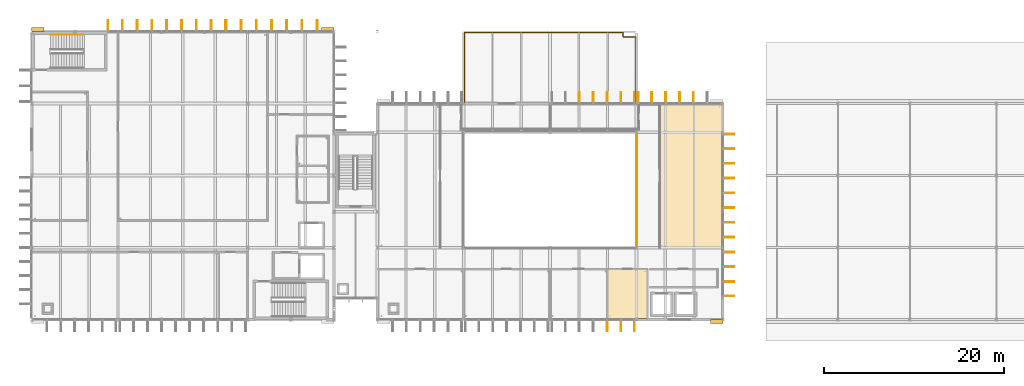
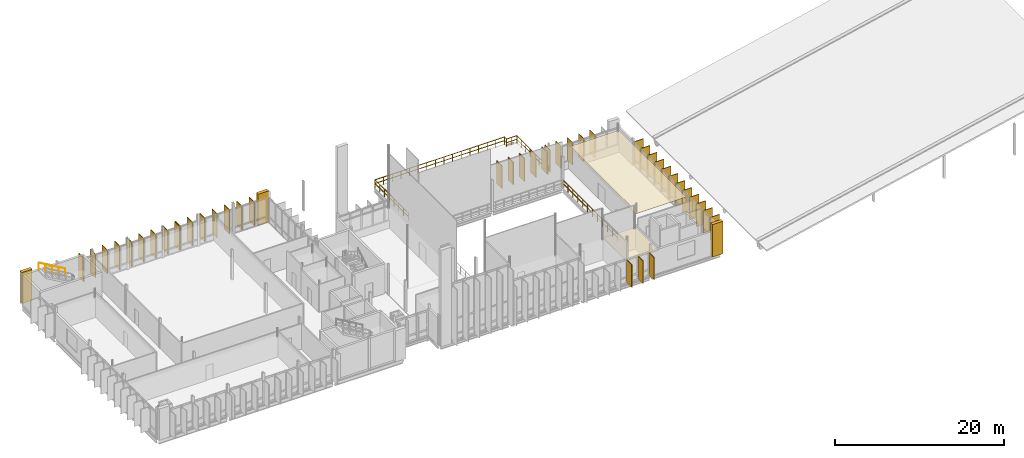
# One storey, part 40 of 41: 46 coverings, 3 railings.
"""IFC4 building model written with IfcOpenShell, lengths in metres."""

from ifc_helpers import new_model, si_unit, direction, frame, origin, origin_2d, place, context, subcontext, project, spatial, polyline, rectangle, circle, outline, extrude, material, layer, layer_set, type_object, element, save


model = new_model("IFC4")

# Units and contexts
model_context = context("Model", 3, precision=1e-05, world=origin(), true_north=direction((0.0, 1.0)))
body_context = subcontext(model_context, "Body", "Model", "MODEL_VIEW")
ifc_project = project(units=[si_unit("LENGTHUNIT", "METRE"), si_unit("AREAUNIT", "SQUARE_METRE"), si_unit("VOLUMEUNIT", "CUBIC_METRE"), si_unit("PLANEANGLEUNIT", "RADIAN"), si_unit("MASSUNIT", "GRAM", prefix="KILO")], contexts=[model_context])

# Site, building, storey
site_placement = place(None, origin())
site = spatial("IfcSite", under=ifc_project, at=site_placement, CompositionType="ELEMENT")
building_placement = place(site_placement, origin())
building = spatial("IfcBuilding", under=site, at=building_placement, Name="Dunescarp Central Library", CompositionType="ELEMENT")
storey_placement = place(building_placement, frame((0.0, 0.0, 23.10009765625)))
storey = spatial("IfcBuildingStorey", under=building, at=storey_placement, Name="L05", CompositionType="ELEMENT", Elevation=23.10009765625)

# Coverings
ifc_material_1 = material(Name="Perforated birch acoustic timber baffle", Category="wood")
ifc_layer_1 = layer(ifc_material_1, 0.050048828125)
ifc_layer_set_1 = layer_set([ifc_layer_1], Name="Perforated birch acoustic timber baffle")
covering_type_1 = type_object("IfcCoveringType", Name="ARC-COV-BAFFLE", PredefinedType="CEILING", material=ifc_layer_set_1)
covering_1_placement = place(storey_placement, frame((0.0, 0.0, 3.0498046875)))
element("IfcCovering", 1, at=covering_1_placement, inside=storey, type_object=covering_type_1, Name="L05 ceiling L05 East Stepped Reading Terrace", PredefinedType="CEILING", context=body_context, shape_type="SweptSolid", body=[
    extrude(outline(polyline([(69.780029296875, 12.780029296875), (76.679931640625, 12.780029296875), (76.679931640625, 28.679931640625), (69.780029296875, 28.679931640625), (69.780029296875, 12.780029296875)])), origin(), (0.0, 0.0, 1.0), 0.050048828125),
])
ifc_material_2 = material(Name="Mineral-fibre acoustic ceiling tile")
ifc_layer_2 = layer(ifc_material_2, 0.0400390625)
ifc_layer_set_2 = layer_set([ifc_layer_2], Name="Mineral-fibre acoustic ceiling tile")
covering_type_2 = type_object("IfcCoveringType", Name="ARC-COV-CEIL40", PredefinedType="CEILING", material=ifc_layer_set_2)
covering_2_placement = place(storey_placement, frame((0.0, 0.0, 3.0498046875)))
element("IfcCovering", 2, at=covering_2_placement, inside=storey, type_object=covering_type_2, Name="L05 ceiling Wing Washrooms & WC", PredefinedType="CEILING", context=body_context, shape_type="SweptSolid", body=[
    extrude(outline(polyline([(63.97998046875, 4.919921875), (68.419921875, 4.919921875), (68.419921875, 10.419921875), (63.97998046875, 10.419921875), (63.97998046875, 4.919921875)])), origin(), (0.0, 0.0, 1.0), 0.0400390625),
])
ifc_material_3 = material(Name="Glass-fibre reinforced concrete GRC", Category="concrete")
ifc_layer_3 = layer(ifc_material_3, 0.090087890625)
ifc_layer_set_3 = layer_set([ifc_layer_3], Name="Glass-fibre reinforced concrete GRC")
covering_type_3 = type_object("IfcCoveringType", Name="ARC-COV-FIN1250", PredefinedType="CLADDING", material=ifc_layer_set_3)
covering_3_placement = place(storey_placement, frame((21.639892578125, 37.4619140625, 0.1669921875), z_axis=(0.0, 0.0, 1.0), x_axis=(0.0, 1.0, 0.0)))
element("IfcCovering", 3, at=covering_3_placement, inside=storey, type_object=covering_type_3, Name="L05 parametric vertical facade fin FIN-L05-0231", PredefinedType="CLADDING", context=body_context, shape_type="SweptSolid", body=[
    extrude(rectangle(XDim=1.25, YDim=0.090087890625, at=origin_2d()), origin(), (0.0, 0.0, 1.0), 3.406005859375),
])
covering_4_placement = place(storey_placement, frame((23.2890625, 37.4619140625, 0.180419921875), z_axis=(0.0, 0.0, 1.0), x_axis=(0.0, 1.0, 0.0)))
element("IfcCovering", 4, at=covering_4_placement, inside=storey, type_object=covering_type_3, Name="L05 parametric vertical facade fin FIN-L05-0232", PredefinedType="CLADDING", context=body_context, shape_type="SweptSolid", body=[
    extrude(rectangle(XDim=1.25, YDim=0.090087890625, at=origin_2d()), origin(), (0.0, 0.0, 1.0), 3.39306640625),
])
covering_5_placement = place(storey_placement, frame((24.97900390625, 37.4619140625, 0.16357421875), z_axis=(0.0, 0.0, 1.0), x_axis=(0.0, 1.0, 0.0)))
element("IfcCovering", 5, at=covering_5_placement, inside=storey, type_object=covering_type_3, Name="L05 parametric vertical facade fin FIN-L05-0233", PredefinedType="CLADDING", context=body_context, shape_type="SweptSolid", body=[
    extrude(rectangle(XDim=1.25, YDim=0.090087890625, at=origin_2d()), origin(), (0.0, 0.0, 1.0), 3.408935546875),
])
covering_6_placement = place(storey_placement, frame((26.66796875, 37.4619140625, 0.123046875), z_axis=(0.0, 0.0, 1.0), x_axis=(0.0, 1.0, 0.0)))
element("IfcCovering", 6, at=covering_6_placement, inside=storey, type_object=covering_type_3, Name="L05 parametric vertical facade fin FIN-L05-0234", PredefinedType="CLADDING", context=body_context, shape_type="SweptSolid", body=[
    extrude(rectangle(XDim=1.25, YDim=0.090087890625, at=origin_2d()), origin(), (0.0, 0.0, 1.0), 3.449951171875),
])
covering_7_placement = place(storey_placement, frame((28.35693359375, 37.4619140625, 0.079833984375), z_axis=(0.0, 0.0, 1.0), x_axis=(0.0, 1.0, 0.0)))
element("IfcCovering", 7, at=covering_7_placement, inside=storey, type_object=covering_type_3, Name="L05 parametric vertical facade fin FIN-L05-0235", PredefinedType="CLADDING", context=body_context, shape_type="SweptSolid", body=[
    extrude(rectangle(XDim=1.25, YDim=0.090087890625, at=origin_2d()), origin(), (0.0, 0.0, 1.0), 3.48193359375),
])
covering_8_placement = place(storey_placement, frame((30.0458984375, 37.4619140625, 0.080078125), z_axis=(0.0, 0.0, 1.0), x_axis=(0.0, 1.0, 0.0)))
element("IfcCovering", 8, at=covering_8_placement, inside=storey, type_object=covering_type_3, Name="L05 parametric vertical facade fin FIN-L05-0236", PredefinedType="CLADDING", context=body_context, shape_type="SweptSolid", body=[
    extrude(rectangle(XDim=1.25, YDim=0.090087890625, at=origin_2d()), origin(), (0.0, 0.0, 1.0), 3.431884765625),
])
covering_9_placement = place(storey_placement, frame((31.736083984375, 37.4619140625, 0.080322265625), z_axis=(0.0, 0.0, 1.0), x_axis=(0.0, 1.0, 0.0)))
element("IfcCovering", 9, at=covering_9_placement, inside=storey, type_object=covering_type_3, Name="L05 parametric vertical facade fin FIN-L05-0237", PredefinedType="CLADDING", context=body_context, shape_type="SweptSolid", body=[
    extrude(rectangle(XDim=1.25, YDim=0.090087890625, at=origin_2d()), origin(), (0.0, 0.0, 1.0), 3.39892578125),
])
covering_10_placement = place(storey_placement, frame((8.489990234375, 37.4619140625, 0.1669921875), z_axis=(0.0, 0.0, 1.0), x_axis=(0.0, 1.0, 0.0)))
element("IfcCovering", 10, at=covering_10_placement, inside=storey, type_object=covering_type_3, Name="L05 parametric vertical facade fin FIN-L05-0238", PredefinedType="CLADDING", context=body_context, shape_type="SweptSolid", body=[
    extrude(rectangle(XDim=1.25, YDim=0.090087890625, at=origin_2d()), origin(), (0.0, 0.0, 1.0), 3.406005859375),
])
covering_11_placement = place(storey_placement, frame((10.093994140625, 37.4619140625, 0.180419921875), z_axis=(0.0, 0.0, 1.0), x_axis=(0.0, 1.0, 0.0)))
element("IfcCovering", 11, at=covering_11_placement, inside=storey, type_object=covering_type_3, Name="L05 parametric vertical facade fin FIN-L05-0239", PredefinedType="CLADDING", context=body_context, shape_type="SweptSolid", body=[
    extrude(rectangle(XDim=1.25, YDim=0.090087890625, at=origin_2d()), origin(), (0.0, 0.0, 1.0), 3.39306640625),
])
covering_12_placement = place(storey_placement, frame((11.738037109375, 37.4619140625, 0.16357421875), z_axis=(0.0, 0.0, 1.0), x_axis=(0.0, 1.0, 0.0)))
element("IfcCovering", 12, at=covering_12_placement, inside=storey, type_object=covering_type_3, Name="L05 parametric vertical facade fin FIN-L05-0240", PredefinedType="CLADDING", context=body_context, shape_type="SweptSolid", body=[
    extrude(rectangle(XDim=1.25, YDim=0.090087890625, at=origin_2d()), origin(), (0.0, 0.0, 1.0), 3.408935546875),
])
covering_13_placement = place(storey_placement, frame((13.381103515625, 37.4619140625, 0.123046875), z_axis=(0.0, 0.0, 1.0), x_axis=(0.0, 1.0, 0.0)))
element("IfcCovering", 13, at=covering_13_placement, inside=storey, type_object=covering_type_3, Name="L05 parametric vertical facade fin FIN-L05-0241", PredefinedType="CLADDING", context=body_context, shape_type="SweptSolid", body=[
    extrude(rectangle(XDim=1.25, YDim=0.090087890625, at=origin_2d()), origin(), (0.0, 0.0, 1.0), 3.449951171875),
])
covering_14_placement = place(storey_placement, frame((15.02490234375, 37.4619140625, 0.079833984375), z_axis=(0.0, 0.0, 1.0), x_axis=(0.0, 1.0, 0.0)))
element("IfcCovering", 14, at=covering_14_placement, inside=storey, type_object=covering_type_3, Name="L05 parametric vertical facade fin FIN-L05-0242", PredefinedType="CLADDING", context=body_context, shape_type="SweptSolid", body=[
    extrude(rectangle(XDim=1.25, YDim=0.090087890625, at=origin_2d()), origin(), (0.0, 0.0, 1.0), 3.48193359375),
])
covering_15_placement = place(storey_placement, frame((16.6689453125, 37.4619140625, 0.080078125), z_axis=(0.0, 0.0, 1.0), x_axis=(0.0, 1.0, 0.0)))
element("IfcCovering", 15, at=covering_15_placement, inside=storey, type_object=covering_type_3, Name="L05 parametric vertical facade fin FIN-L05-0243", PredefinedType="CLADDING", context=body_context, shape_type="SweptSolid", body=[
    extrude(rectangle(XDim=1.25, YDim=0.090087890625, at=origin_2d()), origin(), (0.0, 0.0, 1.0), 3.431884765625),
])
covering_16_placement = place(storey_placement, frame((18.31201171875, 37.4619140625, 0.080322265625), z_axis=(0.0, 0.0, 1.0), x_axis=(0.0, 1.0, 0.0)))
element("IfcCovering", 16, at=covering_16_placement, inside=storey, type_object=covering_type_3, Name="L05 parametric vertical facade fin FIN-L05-0244", PredefinedType="CLADDING", context=body_context, shape_type="SweptSolid", body=[
    extrude(rectangle(XDim=1.25, YDim=0.090087890625, at=origin_2d()), origin(), (0.0, 0.0, 1.0), 3.39892578125),
])
covering_17_placement = place(storey_placement, frame((19.9560546875, 37.4619140625, 0.079345703125), z_axis=(0.0, 0.0, 1.0), x_axis=(0.0, 1.0, 0.0)))
element("IfcCovering", 17, at=covering_17_placement, inside=storey, type_object=covering_type_3, Name="L05 parametric vertical facade fin FIN-L05-0245", PredefinedType="CLADDING", context=body_context, shape_type="SweptSolid", body=[
    extrude(rectangle(XDim=1.25, YDim=0.090087890625, at=origin_2d()), origin(), (0.0, 0.0, 1.0), 3.39501953125),
])
covering_18_placement = place(storey_placement, frame((21.56005859375, 37.4619140625, 0.079345703125), z_axis=(0.0, 0.0, 1.0), x_axis=(0.0, 1.0, 0.0)))
element("IfcCovering", 18, at=covering_18_placement, inside=storey, type_object=covering_type_3, Name="L05 parametric vertical facade fin FIN-L05-0246", PredefinedType="CLADDING", context=body_context, shape_type="SweptSolid", body=[
    extrude(rectangle(XDim=1.25, YDim=0.090087890625, at=origin_2d()), origin(), (0.0, 0.0, 1.0), 3.4189453125),
])
covering_19_placement = place(storey_placement, frame((66.985107421875, 4.137939453125, 0.166748046875), z_axis=(0.0, 0.0, 1.0), x_axis=(0.0, -1.0, 0.0)))
element("IfcCovering", 19, at=covering_19_placement, inside=storey, type_object=covering_type_3, Name="L05 parametric vertical facade fin FIN-L05-0523", PredefinedType="CLADDING", context=body_context, shape_type="SweptSolid", body=[
    extrude(rectangle(XDim=1.25, YDim=0.090087890625, at=origin_2d()), origin(), (0.0, 0.0, 1.0), 3.22607421875),
])
covering_20_placement = place(storey_placement, frame((65.48291015625, 4.137939453125, 0.179443359375), z_axis=(0.0, 0.0, 1.0), x_axis=(0.0, -1.0, 0.0)))
element("IfcCovering", 20, at=covering_20_placement, inside=storey, type_object=covering_type_3, Name="L05 parametric vertical facade fin FIN-L05-0524", PredefinedType="CLADDING", context=body_context, shape_type="SweptSolid", body=[
    extrude(rectangle(XDim=1.25, YDim=0.090087890625, at=origin_2d()), origin(), (0.0, 0.0, 1.0), 3.212890625),
])
covering_21_placement = place(storey_placement, frame((63.94189453125, 4.137939453125, 0.163330078125), z_axis=(0.0, 0.0, 1.0), x_axis=(0.0, -1.0, 0.0)))
element("IfcCovering", 21, at=covering_21_placement, inside=storey, type_object=covering_type_3, Name="L05 parametric vertical facade fin FIN-L05-0525", PredefinedType="CLADDING", context=body_context, shape_type="SweptSolid", body=[
    extrude(rectangle(XDim=1.25, YDim=0.090087890625, at=origin_2d()), origin(), (0.0, 0.0, 1.0), 3.22900390625),
])
covering_22_placement = place(storey_placement, frame((60.85791015625, 29.4619140625, 0.1640625), z_axis=(0.0, 0.0, 1.0), x_axis=(0.0, 1.0, 0.0)))
element("IfcCovering", 22, at=covering_22_placement, inside=storey, type_object=covering_type_3, Name="L05 parametric vertical facade fin FIN-L05-0538", PredefinedType="CLADDING", context=body_context, shape_type="SweptSolid", body=[
    extrude(rectangle(XDim=1.25, YDim=0.090087890625, at=origin_2d()), origin(), (0.0, 0.0, 1.0), 3.221923828125),
])
covering_23_placement = place(storey_placement, frame((62.39990234375, 29.4619140625, 0.12353515625), z_axis=(0.0, 0.0, 1.0), x_axis=(0.0, 1.0, 0.0)))
element("IfcCovering", 23, at=covering_23_placement, inside=storey, type_object=covering_type_3, Name="L05 parametric vertical facade fin FIN-L05-0539", PredefinedType="CLADDING", context=body_context, shape_type="SweptSolid", body=[
    extrude(rectangle(XDim=1.25, YDim=0.090087890625, at=origin_2d()), origin(), (0.0, 0.0, 1.0), 3.262939453125),
])
covering_24_placement = place(storey_placement, frame((63.94189453125, 29.4619140625, 0.080322265625), z_axis=(0.0, 0.0, 1.0), x_axis=(0.0, 1.0, 0.0)))
element("IfcCovering", 24, at=covering_24_placement, inside=storey, type_object=covering_type_3, Name="L05 parametric vertical facade fin FIN-L05-0540", PredefinedType="CLADDING", context=body_context, shape_type="SweptSolid", body=[
    extrude(rectangle(XDim=1.25, YDim=0.090087890625, at=origin_2d()), origin(), (0.0, 0.0, 1.0), 3.294921875),
])
covering_25_placement = place(storey_placement, frame((65.48291015625, 29.4619140625, 0.080322265625), z_axis=(0.0, 0.0, 1.0), x_axis=(0.0, 1.0, 0.0)))
element("IfcCovering", 25, at=covering_25_placement, inside=storey, type_object=covering_type_3, Name="L05 parametric vertical facade fin FIN-L05-0541", PredefinedType="CLADDING", context=body_context, shape_type="SweptSolid", body=[
    extrude(rectangle(XDim=1.25, YDim=0.090087890625, at=origin_2d()), origin(), (0.0, 0.0, 1.0), 3.2451171875),
])
covering_26_placement = place(storey_placement, frame((66.985107421875, 29.4619140625, 0.079833984375), z_axis=(0.0, 0.0, 1.0), x_axis=(0.0, 1.0, 0.0)))
element("IfcCovering", 26, at=covering_26_placement, inside=storey, type_object=covering_type_3, Name="L05 parametric vertical facade fin FIN-L05-0542", PredefinedType="CLADDING", context=body_context, shape_type="SweptSolid", body=[
    extrude(rectangle(XDim=1.25, YDim=0.090087890625, at=origin_2d()), origin(), (0.0, 0.0, 1.0), 3.2119140625),
])
covering_27_placement = place(storey_placement, frame((67.4150390625, 29.4619140625, 0.16748046875), z_axis=(0.0, 0.0, 1.0), x_axis=(0.0, 1.0, 0.0)))
element("IfcCovering", 27, at=covering_27_placement, inside=storey, type_object=covering_type_3, Name="L05 parametric vertical facade fin FIN-L05-0543", PredefinedType="CLADDING", context=body_context, shape_type="SweptSolid", body=[
    extrude(rectangle(XDim=1.25, YDim=0.090087890625, at=origin_2d()), origin(), (0.0, 0.0, 1.0), 3.218994140625),
])
covering_28_placement = place(storey_placement, frame((68.9169921875, 29.4619140625, 0.179931640625), z_axis=(0.0, 0.0, 1.0), x_axis=(0.0, 1.0, 0.0)))
element("IfcCovering", 28, at=covering_28_placement, inside=storey, type_object=covering_type_3, Name="L05 parametric vertical facade fin FIN-L05-0544", PredefinedType="CLADDING", context=body_context, shape_type="SweptSolid", body=[
    extrude(rectangle(XDim=1.25, YDim=0.090087890625, at=origin_2d()), origin(), (0.0, 0.0, 1.0), 3.2060546875),
])
covering_29_placement = place(storey_placement, frame((70.4580078125, 29.4619140625, 0.1640625), z_axis=(0.0, 0.0, 1.0), x_axis=(0.0, 1.0, 0.0)))
element("IfcCovering", 29, at=covering_29_placement, inside=storey, type_object=covering_type_3, Name="L05 parametric vertical facade fin FIN-L05-0545", PredefinedType="CLADDING", context=body_context, shape_type="SweptSolid", body=[
    extrude(rectangle(XDim=1.25, YDim=0.090087890625, at=origin_2d()), origin(), (0.0, 0.0, 1.0), 3.221923828125),
])
covering_30_placement = place(storey_placement, frame((72.0, 29.4619140625, 0.12353515625), z_axis=(0.0, 0.0, 1.0), x_axis=(0.0, 1.0, 0.0)))
element("IfcCovering", 30, at=covering_30_placement, inside=storey, type_object=covering_type_3, Name="L05 parametric vertical facade fin FIN-L05-0546", PredefinedType="CLADDING", context=body_context, shape_type="SweptSolid", body=[
    extrude(rectangle(XDim=1.25, YDim=0.090087890625, at=origin_2d()), origin(), (0.0, 0.0, 1.0), 3.262939453125),
])
covering_31_placement = place(storey_placement, frame((73.5419921875, 29.4619140625, 0.080322265625), z_axis=(0.0, 0.0, 1.0), x_axis=(0.0, 1.0, 0.0)))
element("IfcCovering", 31, at=covering_31_placement, inside=storey, type_object=covering_type_3, Name="L05 parametric vertical facade fin FIN-L05-0547", PredefinedType="CLADDING", context=body_context, shape_type="SweptSolid", body=[
    extrude(rectangle(XDim=1.25, YDim=0.090087890625, at=origin_2d()), origin(), (0.0, 0.0, 1.0), 3.294921875),
])
covering_32_placement = place(storey_placement, frame((77.4619140625, 25.385009765625, 0.166748046875), z_axis=(0.0, 0.0, 1.0), x_axis=(1.0, 0.0, 0.0)))
element("IfcCovering", 32, at=covering_32_placement, inside=storey, type_object=covering_type_3, Name="L05 parametric vertical facade fin FIN-L05-0549", PredefinedType="CLADDING", context=body_context, shape_type="SweptSolid", body=[
    extrude(rectangle(XDim=1.25, YDim=0.090087890625, at=origin_2d()), origin(), (0.0, 0.0, 1.0), 3.22607421875),
])
covering_33_placement = place(storey_placement, frame((77.4619140625, 23.783935546875, 0.179443359375), z_axis=(0.0, 0.0, 1.0), x_axis=(1.0, 0.0, 0.0)))
element("IfcCovering", 33, at=covering_33_placement, inside=storey, type_object=covering_type_3, Name="L05 parametric vertical facade fin FIN-L05-0550", PredefinedType="CLADDING", context=body_context, shape_type="SweptSolid", body=[
    extrude(rectangle(XDim=1.25, YDim=0.090087890625, at=origin_2d()), origin(), (0.0, 0.0, 1.0), 3.212890625),
])
covering_34_placement = place(storey_placement, frame((77.4619140625, 22.14306640625, 0.163330078125), z_axis=(0.0, 0.0, 1.0), x_axis=(1.0, 0.0, 0.0)))
element("IfcCovering", 34, at=covering_34_placement, inside=storey, type_object=covering_type_3, Name="L05 parametric vertical facade fin FIN-L05-0551", PredefinedType="CLADDING", context=body_context, shape_type="SweptSolid", body=[
    extrude(rectangle(XDim=1.25, YDim=0.090087890625, at=origin_2d()), origin(), (0.0, 0.0, 1.0), 3.22900390625),
])
covering_35_placement = place(storey_placement, frame((77.4619140625, 20.501953125, 0.122802734375), z_axis=(0.0, 0.0, 1.0), x_axis=(1.0, 0.0, 0.0)))
element("IfcCovering", 35, at=covering_35_placement, inside=storey, type_object=covering_type_3, Name="L05 parametric vertical facade fin FIN-L05-0552", PredefinedType="CLADDING", context=body_context, shape_type="SweptSolid", body=[
    extrude(rectangle(XDim=1.25, YDim=0.090087890625, at=origin_2d()), origin(), (0.0, 0.0, 1.0), 3.27001953125),
])
covering_36_placement = place(storey_placement, frame((77.4619140625, 18.861083984375, 0.080078125), z_axis=(0.0, 0.0, 1.0), x_axis=(1.0, 0.0, 0.0)))
element("IfcCovering", 36, at=covering_36_placement, inside=storey, type_object=covering_type_3, Name="L05 parametric vertical facade fin FIN-L05-0553", PredefinedType="CLADDING", context=body_context, shape_type="SweptSolid", body=[
    extrude(rectangle(XDim=1.25, YDim=0.090087890625, at=origin_2d()), origin(), (0.0, 0.0, 1.0), 3.302001953125),
])
covering_37_placement = place(storey_placement, frame((77.4619140625, 17.219970703125, 0.079833984375), z_axis=(0.0, 0.0, 1.0), x_axis=(1.0, 0.0, 0.0)))
element("IfcCovering", 37, at=covering_37_placement, inside=storey, type_object=covering_type_3, Name="L05 parametric vertical facade fin FIN-L05-0554", PredefinedType="CLADDING", context=body_context, shape_type="SweptSolid", body=[
    extrude(rectangle(XDim=1.25, YDim=0.090087890625, at=origin_2d()), origin(), (0.0, 0.0, 1.0), 3.251953125),
])
covering_38_placement = place(storey_placement, frame((77.4619140625, 15.580078125, 0.08056640625), z_axis=(0.0, 0.0, 1.0), x_axis=(1.0, 0.0, 0.0)))
element("IfcCovering", 38, at=covering_38_placement, inside=storey, type_object=covering_type_3, Name="L05 parametric vertical facade fin FIN-L05-0555", PredefinedType="CLADDING", context=body_context, shape_type="SweptSolid", body=[
    extrude(rectangle(XDim=1.25, YDim=0.090087890625, at=origin_2d()), origin(), (0.0, 0.0, 1.0), 3.218994140625),
])
covering_39_placement = place(storey_placement, frame((77.4619140625, 13.93896484375, 0.08056640625), z_axis=(0.0, 0.0, 1.0), x_axis=(1.0, 0.0, 0.0)))
element("IfcCovering", 39, at=covering_39_placement, inside=storey, type_object=covering_type_3, Name="L05 parametric vertical facade fin FIN-L05-0556", PredefinedType="CLADDING", context=body_context, shape_type="SweptSolid", body=[
    extrude(rectangle(XDim=1.25, YDim=0.090087890625, at=origin_2d()), origin(), (0.0, 0.0, 1.0), 3.215087890625),
])
covering_40_placement = place(storey_placement, frame((77.4619140625, 12.298095703125, 0.08056640625), z_axis=(0.0, 0.0, 1.0), x_axis=(1.0, 0.0, 0.0)))
element("IfcCovering", 40, at=covering_40_placement, inside=storey, type_object=covering_type_3, Name="L05 parametric vertical facade fin FIN-L05-0557", PredefinedType="CLADDING", context=body_context, shape_type="SweptSolid", body=[
    extrude(rectangle(XDim=1.25, YDim=0.090087890625, at=origin_2d()), origin(), (0.0, 0.0, 1.0), 3.239013671875),
])
covering_41_placement = place(storey_placement, frame((77.4619140625, 10.656982421875, 0.07958984375), z_axis=(0.0, 0.0, 1.0), x_axis=(1.0, 0.0, 0.0)))
element("IfcCovering", 41, at=covering_41_placement, inside=storey, type_object=covering_type_3, Name="L05 parametric vertical facade fin FIN-L05-0558", PredefinedType="CLADDING", context=body_context, shape_type="SweptSolid", body=[
    extrude(rectangle(XDim=1.25, YDim=0.090087890625, at=origin_2d()), origin(), (0.0, 0.0, 1.0), 3.284912109375),
])
covering_42_placement = place(storey_placement, frame((77.4619140625, 9.01611328125, 0.10546875), z_axis=(0.0, 0.0, 1.0), x_axis=(1.0, 0.0, 0.0)))
element("IfcCovering", 42, at=covering_42_placement, inside=storey, type_object=covering_type_3, Name="L05 parametric vertical facade fin FIN-L05-0559", PredefinedType="CLADDING", context=body_context, shape_type="SweptSolid", body=[
    extrude(rectangle(XDim=1.25, YDim=0.090087890625, at=origin_2d()), origin(), (0.0, 0.0, 1.0), 3.287109375),
])
covering_43_placement = place(storey_placement, frame((77.4619140625, 7.4150390625, 0.15283203125), z_axis=(0.0, 0.0, 1.0), x_axis=(1.0, 0.0, 0.0)))
element("IfcCovering", 43, at=covering_43_placement, inside=storey, type_object=covering_type_3, Name="L05 parametric vertical facade fin FIN-L05-0560", PredefinedType="CLADDING", context=body_context, shape_type="SweptSolid", body=[
    extrude(rectangle(XDim=1.25, YDim=0.090087890625, at=origin_2d()), origin(), (0.0, 0.0, 1.0), 3.239990234375),
])
ifc_layer_4 = layer(ifc_material_3, 0.449951171875)
ifc_layer_set_4 = layer_set([ifc_layer_4], Name="Glass-fibre reinforced concrete GRC")
covering_type_4 = type_object("IfcCoveringType", Name="ARC-COV-PORTAL", PredefinedType="CLADDING", material=ifc_layer_set_4)
covering_44_placement = place(storey_placement, frame((76.10009765625, 4.580078125, 0.00048828125), z_axis=(0.0, 0.0, 1.0), x_axis=(1.0, 0.0, 0.0)))
element("IfcCovering", 44, at=covering_44_placement, inside=storey, type_object=covering_type_4, Name="V2 sculpted GRC portal pier PRT-BAND-V2-023", PredefinedType="CLADDING", context=body_context, shape_type="SweptSolid", body=[
    extrude(rectangle(XDim=1.39990234375, YDim=0.449951171875, at=origin_2d()), origin(), (0.0, 0.0, 1.0), 4.675048828125),
])
for number, where, z_axis, x_axis, name in (
    (45, (0.699951171875, 37.02001953125, 0.0), (0.0, 0.0, 1.0), (1.0, 0.0, 0.0), "V1 sculpted GRC portal pier PRT-BAND-V1-102"),
    (46, (32.89990234375, 37.02001953125, 0.0), (0.0, 0.0, 1.0), (1.0, 0.0, 0.0), "V1 sculpted GRC portal pier PRT-BAND-V1-104"),
):
    element("IfcCovering", number, at=place(storey_placement, frame(where, z_axis=z_axis, x_axis=x_axis)), inside=storey, type_object=covering_type_4, Name=name, PredefinedType="CLADDING", context=body_context, shape_type="SweptSolid", body=[
        extrude(rectangle(XDim=1.39990234375, YDim=0.449951171875, at=origin_2d()), origin(), (0.0, 0.0, 1.0), 4.5),
    ])

# Railings
ifc_material_4 = material(Name="Stainless steel Grade 316L", Category="steel")
railing_type_1 = type_object("IfcRailingType", Name="ARC-RL-BAL", PredefinedType="BALUSTRADE", material=ifc_material_4)
railing_1_placement = place(storey_placement, frame((48.080078125, 28.8798828125, 0.0)))
element("IfcRailing", 47, at=railing_1_placement, inside=storey, type_object=railing_type_1, Name="L05 terrace balustrade TER-L05-V2N", PredefinedType="BALUSTRADE", context=body_context, shape_type="SweptSolid", body=[
    extrude(circle(Radius=0.02392578125, at=origin_2d()), frame((0.0, 0.0, 1.076171875), z_axis=(0.0, 1.0, 0.0), x_axis=(-1.0, 0.0, 0.0)), (0.0, 0.0, 1.0), 7.840087890625),
    extrude(circle(Radius=0.02392578125, at=origin_2d()), frame((0.0, 0.0, 0.550048828125), z_axis=(0.0, 1.0, 0.0), x_axis=(-1.0, 0.0, 0.0)), (0.0, 0.0, 1.0), 7.840087890625),
    extrude(circle(Radius=0.02392578125, at=origin_2d()), frame((0.0, 7.840087890625, 1.076171875), z_axis=(1.0, 0.0, 0.0), x_axis=(0.0, 1.0, 0.0)), (0.0, 0.0, 1.0), 17.639892578125),
    extrude(circle(Radius=0.02392578125, at=origin_2d()), frame((0.0, 7.840087890625, 0.550048828125), z_axis=(1.0, 0.0, 0.0), x_axis=(0.0, 1.0, 0.0)), (0.0, 0.0, 1.0), 17.639892578125),
    extrude(circle(Radius=0.02392578125, at=origin_2d()), frame((17.639892578125, 7.840087890625, 1.076171875), z_axis=(0.0, -1.0, 0.0), x_axis=(1.0, 0.0, 0.0)), (0.0, 0.0, 1.0), 0.5),
    extrude(circle(Radius=0.02392578125, at=origin_2d()), frame((17.639892578125, 7.840087890625, 0.550048828125), z_axis=(0.0, -1.0, 0.0), x_axis=(1.0, 0.0, 0.0)), (0.0, 0.0, 1.0), 0.5),
    extrude(circle(Radius=0.02392578125, at=origin_2d()), frame((17.639892578125, 7.340087890625, 1.076171875), z_axis=(1.0, 0.0, 0.0), x_axis=(0.0, 1.0, 0.0)), (0.0, 0.0, 1.0), 1.400146484375),
    extrude(circle(Radius=0.02392578125, at=origin_2d()), frame((17.639892578125, 7.340087890625, 0.550048828125), z_axis=(1.0, 0.0, 0.0), x_axis=(0.0, 1.0, 0.0)), (0.0, 0.0, 1.0), 1.400146484375),
    extrude(circle(Radius=0.02392578125, at=origin_2d()), frame((19.0400390625, 7.340087890625, 1.076171875), z_axis=(0.0, -1.0, 0.0), x_axis=(1.0, 0.0, 0.0)), (0.0, 0.0, 1.0), 7.340087890625),
    extrude(circle(Radius=0.02392578125, at=origin_2d()), frame((19.0400390625, 7.340087890625, 0.550048828125), z_axis=(0.0, -1.0, 0.0), x_axis=(1.0, 0.0, 0.0)), (0.0, 0.0, 1.0), 7.340087890625),
    extrude(circle(Radius=0.02099609375, at=origin_2d()), origin(), (0.0, 0.0, 1.0), 1.052001953125),
    extrude(circle(Radius=0.02099609375, at=origin_2d()), frame((0.0, 1.1201171875, 0.0)), (0.0, 0.0, 1.0), 1.052001953125),
    extrude(circle(Radius=0.02099609375, at=origin_2d()), frame((0.0, 2.239990234375, 0.0)), (0.0, 0.0, 1.0), 1.052001953125),
    extrude(circle(Radius=0.02099609375, at=origin_2d()), frame((0.0, 3.360107421875, 0.0)), (0.0, 0.0, 1.0), 1.052001953125),
    extrude(circle(Radius=0.02099609375, at=origin_2d()), frame((0.0, 4.47998046875, 0.0)), (0.0, 0.0, 1.0), 1.052001953125),
    extrude(circle(Radius=0.02099609375, at=origin_2d()), frame((0.0, 5.60009765625, 0.0)), (0.0, 0.0, 1.0), 1.052001953125),
    extrude(circle(Radius=0.02099609375, at=origin_2d()), frame((0.0, 6.719970703125, 0.0)), (0.0, 0.0, 1.0), 1.052001953125),
    extrude(circle(Radius=0.02099609375, at=origin_2d()), frame((0.0, 7.840087890625, 0.0)), (0.0, 0.0, 1.0), 1.052001953125),
    extrude(circle(Radius=0.02099609375, at=origin_2d()), frame((1.176025390625, 7.840087890625, 0.0)), (0.0, 0.0, 1.0), 1.052001953125),
    extrude(circle(Radius=0.02099609375, at=origin_2d()), frame((2.35205078125, 7.840087890625, 0.0)), (0.0, 0.0, 1.0), 1.052001953125),
    extrude(circle(Radius=0.02099609375, at=origin_2d()), frame((3.528076171875, 7.840087890625, 0.0)), (0.0, 0.0, 1.0), 1.052001953125),
    extrude(circle(Radius=0.02099609375, at=origin_2d()), frame((4.703857421875, 7.840087890625, 0.0)), (0.0, 0.0, 1.0), 1.052001953125),
    extrude(circle(Radius=0.02099609375, at=origin_2d()), frame((5.8798828125, 7.840087890625, 0.0)), (0.0, 0.0, 1.0), 1.052001953125),
    extrude(circle(Radius=0.02099609375, at=origin_2d()), frame((7.055908203125, 7.840087890625, 0.0)), (0.0, 0.0, 1.0), 1.052001953125),
    extrude(circle(Radius=0.02099609375, at=origin_2d()), frame((8.23193359375, 7.840087890625, 0.0)), (0.0, 0.0, 1.0), 1.052001953125),
    extrude(circle(Radius=0.02099609375, at=origin_2d()), frame((9.407958984375, 7.840087890625, 0.0)), (0.0, 0.0, 1.0), 1.052001953125),
    extrude(circle(Radius=0.02099609375, at=origin_2d()), frame((10.583984375, 7.840087890625, 0.0)), (0.0, 0.0, 1.0), 1.052001953125),
    extrude(circle(Radius=0.02099609375, at=origin_2d()), frame((11.760009765625, 7.840087890625, 0.0)), (0.0, 0.0, 1.0), 1.052001953125),
    extrude(circle(Radius=0.02099609375, at=origin_2d()), frame((12.93603515625, 7.840087890625, 0.0)), (0.0, 0.0, 1.0), 1.052001953125),
    extrude(circle(Radius=0.02099609375, at=origin_2d()), frame((14.11181640625, 7.840087890625, 0.0)), (0.0, 0.0, 1.0), 1.052001953125),
    extrude(circle(Radius=0.02099609375, at=origin_2d()), frame((15.287841796875, 7.840087890625, 0.0)), (0.0, 0.0, 1.0), 1.052001953125),
    extrude(circle(Radius=0.02099609375, at=origin_2d()), frame((16.4638671875, 7.840087890625, 0.0)), (0.0, 0.0, 1.0), 1.052001953125),
    extrude(circle(Radius=0.02099609375, at=origin_2d()), frame((17.639892578125, 7.840087890625, 0.0)), (0.0, 0.0, 1.0), 1.052001953125),
    extrude(circle(Radius=0.02099609375, at=origin_2d()), frame((17.639892578125, 7.340087890625, 0.0)), (0.0, 0.0, 1.0), 1.052001953125),
    extrude(circle(Radius=0.02099609375, at=origin_2d()), frame((18.33984375, 7.340087890625, 0.0)), (0.0, 0.0, 1.0), 1.052001953125),
    extrude(circle(Radius=0.02099609375, at=origin_2d()), frame((19.0400390625, 7.340087890625, 0.0)), (0.0, 0.0, 1.0), 1.052001953125),
    extrude(circle(Radius=0.02099609375, at=origin_2d()), frame((19.0400390625, 6.29150390625, 0.0)), (0.0, 0.0, 1.0), 1.052001953125),
    extrude(circle(Radius=0.02099609375, at=origin_2d()), frame((19.0400390625, 5.242919921875, 0.0)), (0.0, 0.0, 1.0), 1.052001953125),
    extrude(circle(Radius=0.02099609375, at=origin_2d()), frame((19.0400390625, 4.1943359375, 0.0)), (0.0, 0.0, 1.0), 1.052001953125),
    extrude(circle(Radius=0.02099609375, at=origin_2d()), frame((19.0400390625, 3.145751953125, 0.0)), (0.0, 0.0, 1.0), 1.052001953125),
    extrude(circle(Radius=0.02099609375, at=origin_2d()), frame((19.0400390625, 2.09716796875, 0.0)), (0.0, 0.0, 1.0), 1.052001953125),
    extrude(circle(Radius=0.02099609375, at=origin_2d()), frame((19.0400390625, 1.048583984375, 0.0)), (0.0, 0.0, 1.0), 1.052001953125),
    extrude(circle(Radius=0.02099609375, at=origin_2d()), frame((19.0400390625, 0.0, 0.0)), (0.0, 0.0, 1.0), 1.052001953125),
])
railing_type_2 = type_object("IfcRailingType", Name="ARC-RL-GUARD", PredefinedType="GUARDRAIL", material=ifc_material_4)
railing_2_placement = place(storey_placement, frame((67.280029296875, 12.780029296875, 0.0)))
element("IfcRailing", 48, at=railing_2_placement, inside=storey, type_object=railing_type_2, Name="L05 void guardrail GRD-ATR-L05-E", PredefinedType="GUARDRAIL", context=body_context, shape_type="SweptSolid", body=[
    extrude(circle(Radius=0.02392578125, at=origin_2d()), frame((0.0, 0.0, 1.076171875), z_axis=(0.0, 1.0, 0.0), x_axis=(-1.0, 0.0, 0.0)), (0.0, 0.0, 1.0), 12.840087890625),
    extrude(circle(Radius=0.02392578125, at=origin_2d()), frame((0.0, 0.0, 0.550048828125), z_axis=(0.0, 1.0, 0.0), x_axis=(-1.0, 0.0, 0.0)), (0.0, 0.0, 1.0), 12.840087890625),
    extrude(circle(Radius=0.02099609375, at=origin_2d()), origin(), (0.0, 0.0, 1.0), 1.052001953125),
    extrude(circle(Radius=0.02099609375, at=origin_2d()), frame((0.0, 1.167236328125, 0.0)), (0.0, 0.0, 1.0), 1.052001953125),
    extrude(circle(Radius=0.02099609375, at=origin_2d()), frame((0.0, 2.33447265625, 0.0)), (0.0, 0.0, 1.0), 1.052001953125),
    extrude(circle(Radius=0.02099609375, at=origin_2d()), frame((0.0, 3.501953125, 0.0)), (0.0, 0.0, 1.0), 1.052001953125),
    extrude(circle(Radius=0.02099609375, at=origin_2d()), frame((0.0, 4.669189453125, 0.0)), (0.0, 0.0, 1.0), 1.052001953125),
    extrude(circle(Radius=0.02099609375, at=origin_2d()), frame((0.0, 5.83642578125, 0.0)), (0.0, 0.0, 1.0), 1.052001953125),
    extrude(circle(Radius=0.02099609375, at=origin_2d()), frame((0.0, 7.003662109375, 0.0)), (0.0, 0.0, 1.0), 1.052001953125),
    extrude(circle(Radius=0.02099609375, at=origin_2d()), frame((0.0, 8.1708984375, 0.0)), (0.0, 0.0, 1.0), 1.052001953125),
    extrude(circle(Radius=0.02099609375, at=origin_2d()), frame((0.0, 9.338134765625, 0.0)), (0.0, 0.0, 1.0), 1.052001953125),
    extrude(circle(Radius=0.02099609375, at=origin_2d()), frame((0.0, 10.505615234375, 0.0)), (0.0, 0.0, 1.0), 1.052001953125),
    extrude(circle(Radius=0.02099609375, at=origin_2d()), frame((0.0, 11.6728515625, 0.0)), (0.0, 0.0, 1.0), 1.052001953125),
    extrude(circle(Radius=0.02099609375, at=origin_2d()), frame((0.0, 12.840087890625, 0.0)), (0.0, 0.0, 1.0), 1.052001953125),
])
railing_type_3 = type_object("IfcRailingType", Name="ARC-RL-HAND", PredefinedType="HANDRAIL", material=ifc_material_4)
railing_3_placement = place(storey_placement, frame((5.699951171875, 36.449951171875, 2.423095703125)))
element("IfcRailing", 49, at=railing_3_placement, inside=storey, type_object=railing_type_3, Name="L05 ST-6 stair handrail 2", PredefinedType="HANDRAIL", context=body_context, shape_type="SweptSolid", body=[
    extrude(circle(Radius=0.02392578125, at=origin_2d()), frame((0.0, 0.0, 0.8857421875), z_axis=(-0.866178740119, 0.0, 0.499734319579), x_axis=(0.0, -1.0, 0.0)), (0.0, 0.0, 1.0), 4.156005859375),
    extrude(circle(Radius=0.02099609375, at=origin_2d()), origin(), (0.0, 0.0, 1.0), 0.86181640625),
    extrude(circle(Radius=0.02099609375, at=origin_2d()), frame((-0.89990234375, 0.0, 0.519287109375)), (0.0, 0.0, 1.0), 0.86181640625),
    extrude(circle(Radius=0.02099609375, at=origin_2d()), frame((-1.7998046875, 0.0, 1.03857421875)), (0.0, 0.0, 1.0), 0.86181640625),
    extrude(circle(Radius=0.02099609375, at=origin_2d()), frame((-2.699951171875, 0.0, 1.5576171875)), (0.0, 0.0, 1.0), 0.86181640625),
    extrude(circle(Radius=0.02099609375, at=origin_2d()), frame((-3.599853515625, 0.0, 2.076904296875)), (0.0, 0.0, 1.0), 0.86181640625),
])

save(model, "model.ifc")
